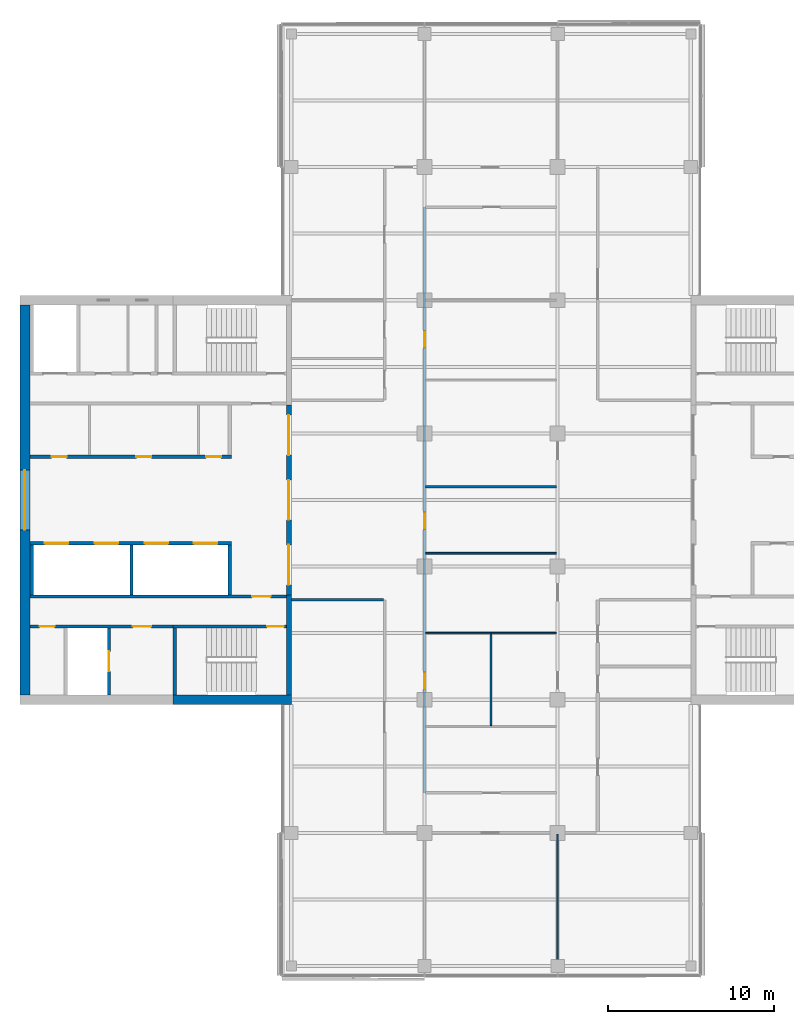
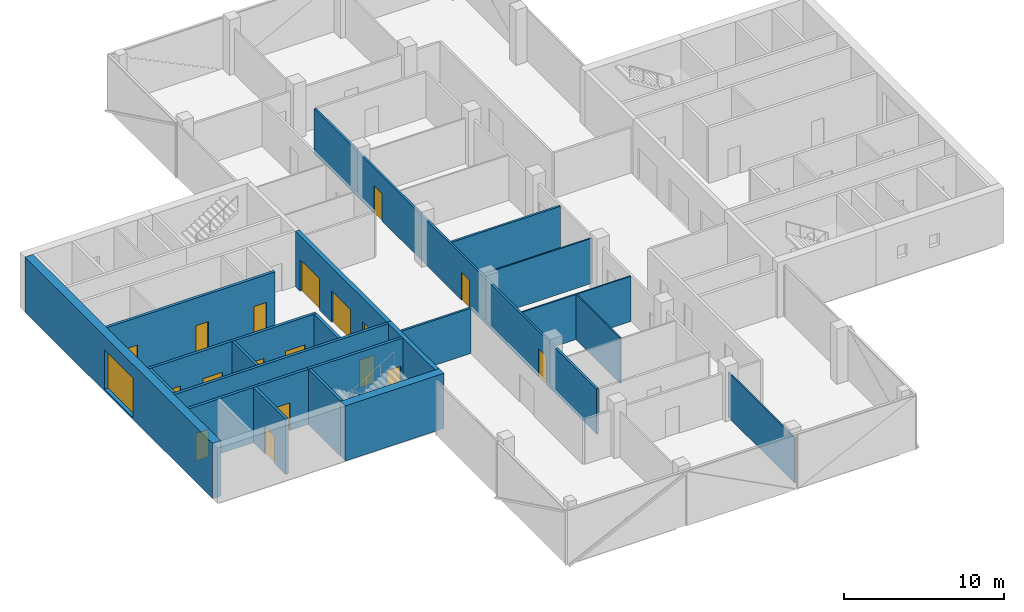
# One storey, part 9 of 15: 21 walls, 18 doors, 1 window, 19 openings.
"""IFC4 building model written with IfcOpenShell, lengths in metres."""

from ifc_helpers import new_model, si_unit, direction, frame, frame_2d, origin, place, context, subcontext, project, spatial, rectangle, extrude, material, layer, layer_set, constituent, constituent_set, type_object, element, fill, save


model = new_model("IFC4")

# Units and contexts
model_context = context("Model", 3, precision=1e-05, world=origin(), true_north=direction((0.0, 1.0)))
body_context = subcontext(model_context, "Body", "Model", "MODEL_VIEW")
ifc_project = project(units=[si_unit("LENGTHUNIT", "METRE"), si_unit("AREAUNIT", "SQUARE_METRE"), si_unit("VOLUMEUNIT", "CUBIC_METRE"), si_unit("PLANEANGLEUNIT", "RADIAN"), si_unit("MASSUNIT", "GRAM", prefix="KILO")], contexts=[model_context])

# Site, building, storey
site_placement = place(None, origin())
site = spatial("IfcSite", under=ifc_project, at=site_placement, CompositionType="ELEMENT")
building_placement = place(site_placement, origin())
building = spatial("IfcBuilding", under=site, at=building_placement, Name="Crosswind Convention Tower", CompositionType="ELEMENT")
storey_placement = place(building_placement, frame((0.0, 0.0, 191.5)))
storey = spatial("IfcBuildingStorey", under=building, at=storey_placement, Name="L40", CompositionType="ELEMENT", Elevation=191.5)

# Wall, openings, doors
ifc_material_1 = material(Name="Concrete C50/60", Category="concrete")
ifc_layer_1 = layer(ifc_material_1, 0.300048828125)
ifc_layer_set_1 = layer_set([ifc_layer_1], Name="Concrete C50/60")
wall_type_1 = type_object("IfcWallType", Name="Concrete inner core wall 300", PredefinedType="SHEAR", material=ifc_layer_set_1)
wall_1_placement = place(storey_placement, frame((112.85009765625, 105.699951171875, 0.0), z_axis=(0.0, 0.0, 1.0), x_axis=(0.0, -1.0, 0.0)))
wall_1 = element("IfcWall", 1, at=wall_1_placement, inside=storey, type_object=wall_type_1, Name="Wall SCR W L40", PredefinedType="SHEAR", context=body_context, shape_type="SweptSolid", body=[
    extrude(rectangle(XDim=11.39990234375, YDim=0.300048828125, at=frame_2d((5.699951171875, 0.0))), origin(), (0.0, 0.0, 1.0), 4.199951171875),
])
opening_1_placement = place(wall_1_placement, frame((0.60009765625, 0.0, 0.0)))
opening_1 = element("IfcOpeningElement", 2, at=opening_1_placement, cuts=wall_1, Name="Opening D100", PredefinedType="OPENING", context=body_context, shape_type="SweptSolid", body=[
    extrude(rectangle(XDim=2.39990234375, YDim=2.39990234375, at=frame_2d((1.199951171875, 1.199951171875))), frame((0.0, 0.159912109375, 0.0), z_axis=(0.0, -1.0, 0.0), x_axis=(1.0, 0.0, 0.0)), (0.0, 0.0, 1.0), 0.320068359375),
])
opening_2_placement = place(wall_1_placement, frame((4.5, 0.0, 0.0)))
opening_2 = element("IfcOpeningElement", 3, at=opening_2_placement, cuts=wall_1, Name="Opening D100", PredefinedType="OPENING", context=body_context, shape_type="SweptSolid", body=[
    extrude(rectangle(XDim=2.39990234375, YDim=2.39990234375, at=frame_2d((1.199951171875, 1.199951171875))), frame((0.0, 0.159912109375, 0.0), z_axis=(0.0, -1.0, 0.0), x_axis=(1.0, 0.0, 0.0)), (0.0, 0.0, 1.0), 0.320068359375),
])
opening_3_placement = place(wall_1_placement, frame((8.39990234375, 0.0, 0.0)))
opening_3 = element("IfcOpeningElement", 4, at=opening_3_placement, cuts=wall_1, Name="Opening D100", PredefinedType="OPENING", context=body_context, shape_type="SweptSolid", body=[
    extrude(rectangle(XDim=2.39990234375, YDim=2.39990234375, at=frame_2d((1.199951171875, 1.199951171875))), frame((0.0, 0.159912109375, 0.0), z_axis=(0.0, -1.0, 0.0), x_axis=(1.0, 0.0, 0.0)), (0.0, 0.0, 1.0), 0.320068359375),
])
ifc_material_2 = material(Name="Steel fire door with glazed vision panels", Category="steel")
door_type_1 = type_object("IfcDoorType", Name="Fire-rated double door 2400x2400", OperationType="DOUBLE_DOOR_SINGLE_SWING", PredefinedType="DOOR", material=ifc_material_2)
door_1_placement = place(opening_1_placement, origin())
door_1 = element("IfcDoor", 5, at=door_1_placement, inside=storey, type_object=door_type_1, Name="Lobby door 1 L40", ObjectType="D100", OperationType="DOUBLE_DOOR_SINGLE_SWING", OverallHeight=2.39990234375, OverallWidth=2.39990234375, PredefinedType="DOOR", context=body_context, shape_type="SweptSolid", body=[
    extrude(rectangle(XDim=2.39990234375, YDim=2.39990234375, at=frame_2d((1.199951171875, 1.199951171875))), frame((0.0, 0.02490234375, 0.0), z_axis=(0.0, -1.0, 0.0), x_axis=(1.0, 0.0, 0.0)), (0.0, 0.0, 1.0), 0.050048828125),
])
fill(opening_1, door_1)
door_2_placement = place(opening_2_placement, origin())
door_2 = element("IfcDoor", 6, at=door_2_placement, inside=storey, type_object=door_type_1, Name="Lobby door 2 L40", ObjectType="D100", OperationType="DOUBLE_DOOR_SINGLE_SWING", OverallHeight=2.39990234375, OverallWidth=2.39990234375, PredefinedType="DOOR", context=body_context, shape_type="SweptSolid", body=[
    extrude(rectangle(XDim=2.39990234375, YDim=2.39990234375, at=frame_2d((1.199951171875, 1.199951171875))), frame((0.0, 0.02490234375, 0.0), z_axis=(0.0, -1.0, 0.0), x_axis=(1.0, 0.0, 0.0)), (0.0, 0.0, 1.0), 0.050048828125),
])
fill(opening_2, door_2)
door_3_placement = place(opening_3_placement, origin())
door_3 = element("IfcDoor", 7, at=door_3_placement, inside=storey, type_object=door_type_1, Name="Lobby door 3 L40", ObjectType="D100", OperationType="DOUBLE_DOOR_SINGLE_SWING", OverallHeight=2.39990234375, OverallWidth=2.39990234375, PredefinedType="DOOR", context=body_context, shape_type="SweptSolid", body=[
    extrude(rectangle(XDim=2.39990234375, YDim=2.39990234375, at=frame_2d((1.199951171875, 1.199951171875))), frame((0.0, 0.02490234375, 0.0), z_axis=(0.0, -1.0, 0.0), x_axis=(1.0, 0.0, 0.0)), (0.0, 0.0, 1.0), 0.050048828125),
])
fill(opening_3, door_3)

# Walls
wall_2_placement = place(storey_placement, frame((112.85009765625, 94.300048828125, 0.0), z_axis=(0.0, 0.0, 1.0), x_axis=(0.0, -1.0, 0.0)))
element("IfcWall", 8, at=wall_2_placement, inside=storey, type_object=wall_type_1, Name="Wall EP W L40", PredefinedType="SHEAR", context=body_context, shape_type="SweptSolid", body=[
    extrude(rectangle(XDim=6.0, YDim=0.300048828125, at=frame_2d((3.0, 0.0))), origin(), (0.0, 0.0, 1.0), 4.199951171875),
])
ifc_layer_2 = layer(ifc_material_1, 0.199951171875)
ifc_layer_set_2 = layer_set([ifc_layer_2], Name="Concrete C50/60")
wall_type_2 = type_object("IfcWallType", Name="Concrete shaft and stair wall 200", PredefinedType="SHEAR", material=ifc_layer_set_2)
for number, where, z_axis, x_axis, name in (
    (9, (109.300048828125, 97.300048828125, 0.0), (0.0, 0.0, 1.0), (0.0, -1.0, 0.0), "Wall RPEND W L40"),
    (10, (103.39990234375, 97.300048828125, 0.0), (0.0, 0.0, 1.0), (0.0, -1.0, 0.0), "Wall RPSEP W L40"),
    (11, (97.39990234375, 97.300048828125, 0.0), (0.0, 0.0, 1.0), (0.0, -1.0, 0.0), "Wall RPEAST W L40"),
):
    element("IfcWall", number, at=place(storey_placement, frame(where, z_axis=z_axis, x_axis=x_axis)), inside=storey, type_object=wall_type_2, Name=name, PredefinedType="SHEAR", context=body_context, shape_type="SweptSolid", body=[
        extrude(rectangle(XDim=3.0, YDim=0.199951171875, at=frame_2d((1.5, 0.0))), origin(), (0.0, 0.0, 1.0), 4.199951171875),
    ])

# Wall, openings, doors
wall_3_placement = place(storey_placement, frame((109.39990234375, 97.39990234375, 0.0), z_axis=(0.0, 0.0, 1.0), x_axis=(-1.0, 0.0, 0.0)))
wall_3 = element("IfcWall", 12, at=wall_3_placement, inside=storey, type_object=wall_type_2, Name="Wall RPFRONT W L40", PredefinedType="SHEAR", context=body_context, shape_type="SweptSolid", body=[
    extrude(rectangle(XDim=12.099853515625, YDim=0.199951171875, at=frame_2d((6.0498046875, 0.0))), origin(), (0.0, 0.0, 1.0), 4.199951171875),
])
opening_4_placement = place(wall_3_placement, frame((0.85009765625, 0.0, 0.0)))
opening_4 = element("IfcOpeningElement", 13, at=opening_4_placement, cuts=wall_3, Name="Opening LD2", PredefinedType="OPENING", context=body_context, shape_type="SweptSolid", body=[
    extrude(rectangle(XDim=1.39990234375, YDim=2.10009765625, at=frame_2d((0.699951171875, 1.050048828125))), frame((0.0, 0.10986328125, 0.0), z_axis=(0.0, -1.0, 0.0), x_axis=(1.0, 0.0, 0.0)), (0.0, 0.0, 1.0), 0.219970703125),
])
opening_5_placement = place(wall_3_placement, frame((3.800048828125, 0.0, 0.0)))
opening_5 = element("IfcOpeningElement", 14, at=opening_5_placement, cuts=wall_3, Name="Opening LD2", PredefinedType="OPENING", context=body_context, shape_type="SweptSolid", body=[
    extrude(rectangle(XDim=1.39990234375, YDim=2.10009765625, at=frame_2d((0.699951171875, 1.050048828125))), frame((0.0, 0.10986328125, 0.0), z_axis=(0.0, -1.0, 0.0), x_axis=(1.0, 0.0, 0.0)), (0.0, 0.0, 1.0), 0.219970703125),
])
opening_6_placement = place(wall_3_placement, frame((6.800048828125, 0.0, 0.0)))
opening_6 = element("IfcOpeningElement", 15, at=opening_6_placement, cuts=wall_3, Name="Opening LD2", PredefinedType="OPENING", context=body_context, shape_type="SweptSolid", body=[
    extrude(rectangle(XDim=1.39990234375, YDim=2.10009765625, at=frame_2d((0.699951171875, 1.050048828125))), frame((0.0, 0.10986328125, 0.0), z_axis=(0.0, -1.0, 0.0), x_axis=(1.0, 0.0, 0.0)), (0.0, 0.0, 1.0), 0.219970703125),
])
opening_7_placement = place(wall_3_placement, frame((9.800048828125, 0.0, 0.0)))
opening_7 = element("IfcOpeningElement", 16, at=opening_7_placement, cuts=wall_3, Name="Opening LD2", PredefinedType="OPENING", context=body_context, shape_type="SweptSolid", body=[
    extrude(rectangle(XDim=1.39990234375, YDim=2.10009765625, at=frame_2d((0.699951171875, 1.050048828125))), frame((0.0, 0.10986328125, 0.0), z_axis=(0.0, -1.0, 0.0), x_axis=(1.0, 0.0, 0.0)), (0.0, 0.0, 1.0), 0.219970703125),
])
ifc_material_3 = material(Name="Stainless steel", Category="steel")
door_type_2 = type_object("IfcDoorType", Name="Lift landing door 1400x2100", OperationType="DOUBLE_DOOR_SLIDING", PredefinedType="DOOR", material=ifc_material_3)
door_4_placement = place(opening_4_placement, origin())
door_4 = element("IfcDoor", 17, at=door_4_placement, inside=storey, type_object=door_type_2, Name="Landing door HR1 L40", ObjectType="LD2", OperationType="DOUBLE_DOOR_SLIDING", OverallHeight=2.10009765625, OverallWidth=1.39990234375, PredefinedType="DOOR", context=body_context, shape_type="SweptSolid", body=[
    extrude(rectangle(XDim=1.39990234375, YDim=2.10009765625, at=frame_2d((0.699951171875, 1.050048828125))), frame((0.0, 0.02490234375, 0.0), z_axis=(0.0, -1.0, 0.0), x_axis=(1.0, 0.0, 0.0)), (0.0, 0.0, 1.0), 0.050048828125),
])
fill(opening_4, door_4)
door_5_placement = place(opening_5_placement, origin())
door_5 = element("IfcDoor", 18, at=door_5_placement, inside=storey, type_object=door_type_2, Name="Landing door HR2 L40", ObjectType="LD2", OperationType="DOUBLE_DOOR_SLIDING", OverallHeight=2.10009765625, OverallWidth=1.39990234375, PredefinedType="DOOR", context=body_context, shape_type="SweptSolid", body=[
    extrude(rectangle(XDim=1.39990234375, YDim=2.10009765625, at=frame_2d((0.699951171875, 1.050048828125))), frame((0.0, 0.02490234375, 0.0), z_axis=(0.0, -1.0, 0.0), x_axis=(1.0, 0.0, 0.0)), (0.0, 0.0, 1.0), 0.050048828125),
])
fill(opening_5, door_5)
door_6_placement = place(opening_6_placement, origin())
door_6 = element("IfcDoor", 19, at=door_6_placement, inside=storey, type_object=door_type_2, Name="Landing door HR3 L40", ObjectType="LD2", OperationType="DOUBLE_DOOR_SLIDING", OverallHeight=2.10009765625, OverallWidth=1.39990234375, PredefinedType="DOOR", context=body_context, shape_type="SweptSolid", body=[
    extrude(rectangle(XDim=1.39990234375, YDim=2.10009765625, at=frame_2d((0.699951171875, 1.050048828125))), frame((0.0, 0.02490234375, 0.0), z_axis=(0.0, -1.0, 0.0), x_axis=(1.0, 0.0, 0.0)), (0.0, 0.0, 1.0), 0.050048828125),
])
fill(opening_6, door_6)
door_7_placement = place(opening_7_placement, origin())
door_7 = element("IfcDoor", 20, at=door_7_placement, inside=storey, type_object=door_type_2, Name="Landing door HR4 L40", ObjectType="LD2", OperationType="DOUBLE_DOOR_SLIDING", OverallHeight=2.10009765625, OverallWidth=1.39990234375, PredefinedType="DOOR", context=body_context, shape_type="SweptSolid", body=[
    extrude(rectangle(XDim=1.39990234375, YDim=2.10009765625, at=frame_2d((0.699951171875, 1.050048828125))), frame((0.0, 0.02490234375, 0.0), z_axis=(0.0, -1.0, 0.0), x_axis=(1.0, 0.0, 0.0)), (0.0, 0.0, 1.0), 0.050048828125),
])
fill(opening_7, door_7)

wall_4_placement = place(storey_placement, frame((109.39990234375, 102.60009765625, 0.0), z_axis=(0.0, 0.0, 1.0), x_axis=(-1.0, 0.0, 0.0)))
wall_4 = element("IfcWall", 21, at=wall_4_placement, inside=storey, type_object=wall_type_2, Name="Wall RMFRONT W L40", PredefinedType="SHEAR", context=body_context, shape_type="SweptSolid", body=[
    extrude(rectangle(XDim=12.099853515625, YDim=0.199951171875, at=frame_2d((6.0498046875, 0.0))), origin(), (0.0, 0.0, 1.0), 4.199951171875),
])
opening_8_placement = place(wall_4_placement, frame((0.611328125, 0.0, 0.0)))
opening_8 = element("IfcOpeningElement", 22, at=opening_8_placement, cuts=wall_4, Name="Opening D106", PredefinedType="OPENING", context=body_context, shape_type="SweptSolid", body=[
    extrude(rectangle(XDim=0.89990234375, YDim=2.10009765625, at=frame_2d((0.449951171875, 1.050048828125))), frame((0.0, 0.10986328125, 0.0), z_axis=(0.0, -1.0, 0.0), x_axis=(1.0, 0.0, 0.0)), (0.0, 0.0, 1.0), 0.219970703125),
])
opening_9_placement = place(wall_4_placement, frame((4.8076171875, 0.0, 0.0)))
opening_9 = element("IfcOpeningElement", 23, at=opening_9_placement, cuts=wall_4, Name="Opening D106", PredefinedType="OPENING", context=body_context, shape_type="SweptSolid", body=[
    extrude(rectangle(XDim=0.89990234375, YDim=2.10009765625, at=frame_2d((0.449951171875, 1.050048828125))), frame((0.0, 0.10986328125, 0.0), z_axis=(0.0, -1.0, 0.0), x_axis=(1.0, 0.0, 0.0)), (0.0, 0.0, 1.0), 0.219970703125),
])
opening_10_placement = place(wall_4_placement, frame((9.896240234375, 0.0, 0.0)))
opening_10 = element("IfcOpeningElement", 24, at=opening_10_placement, cuts=wall_4, Name="Opening D106", PredefinedType="OPENING", context=body_context, shape_type="SweptSolid", body=[
    extrude(rectangle(XDim=0.89990234375, YDim=2.10009765625, at=frame_2d((0.449951171875, 1.050048828125))), frame((0.0, 0.10986328125, 0.0), z_axis=(0.0, -1.0, 0.0), x_axis=(1.0, 0.0, 0.0)), (0.0, 0.0, 1.0), 0.219970703125),
])
ifc_material_4 = material(Name="Timber door", Category="wood")
door_type_3 = type_object("IfcDoorType", Name="Single leaf door 900x2100", OperationType="NOTDEFINED", PredefinedType="DOOR", material=ifc_material_4)
door_8_placement = place(opening_8_placement, frame((0.89990234375, 0.0, 0.0), z_axis=(0.0, 0.0, 1.0), x_axis=(-1.0, 0.0, 0.0)))
door_8 = element("IfcDoor", 25, at=door_8_placement, inside=storey, type_object=door_type_3, Name="Door to pantry L40", ObjectType="D106", OperationType="SINGLE_SWING_LEFT", OverallHeight=2.10009765625, OverallWidth=0.89990234375, PredefinedType="DOOR", context=body_context, shape_type="SweptSolid", body=[
    extrude(rectangle(XDim=0.89990234375, YDim=2.10009765625, at=frame_2d((0.449951171875, 1.050048828125))), frame((0.0, 0.02490234375, 0.0), z_axis=(0.0, -1.0, 0.0), x_axis=(1.0, 0.0, 0.0)), (0.0, 0.0, 1.0), 0.050048828125),
])
fill(opening_8, door_8)
door_9_placement = place(opening_9_placement, frame((0.89990234375, 0.0, 0.0), z_axis=(0.0, 0.0, 1.0), x_axis=(-1.0, 0.0, 0.0)))
door_9 = element("IfcDoor", 26, at=door_9_placement, inside=storey, type_object=door_type_3, Name="Door to telecoms room L40", ObjectType="D106", OperationType="SINGLE_SWING_LEFT", OverallHeight=2.10009765625, OverallWidth=0.89990234375, PredefinedType="DOOR", context=body_context, shape_type="SweptSolid", body=[
    extrude(rectangle(XDim=0.89990234375, YDim=2.10009765625, at=frame_2d((0.449951171875, 1.050048828125))), frame((0.0, 0.02490234375, 0.0), z_axis=(0.0, -1.0, 0.0), x_axis=(1.0, 0.0, 0.0)), (0.0, 0.0, 1.0), 0.050048828125),
])
fill(opening_9, door_9)
door_10_placement = place(opening_10_placement, frame((0.89990234375, 0.0, 0.0), z_axis=(0.0, 0.0, 1.0), x_axis=(-1.0, 0.0, 0.0)))
door_10 = element("IfcDoor", 27, at=door_10_placement, inside=storey, type_object=door_type_3, Name="Door to storeroom L40", ObjectType="D106", OperationType="SINGLE_SWING_LEFT", OverallHeight=2.10009765625, OverallWidth=0.89990234375, PredefinedType="DOOR", context=body_context, shape_type="SweptSolid", body=[
    extrude(rectangle(XDim=0.89990234375, YDim=2.10009765625, at=frame_2d((0.449951171875, 1.050048828125))), frame((0.0, 0.02490234375, 0.0), z_axis=(0.0, -1.0, 0.0), x_axis=(1.0, 0.0, 0.0)), (0.0, 0.0, 1.0), 0.050048828125),
])
fill(opening_10, door_10)

# Wall, opening, door
wall_5_placement = place(storey_placement, frame((112.699951171875, 94.199951171875, 0.0), z_axis=(0.0, 0.0, 1.0), x_axis=(-1.0, 0.0, 0.0)))
wall_5 = element("IfcWall", 28, at=wall_5_placement, inside=storey, type_object=wall_type_2, Name="Wall HP W L40", PredefinedType="SHEAR", context=body_context, shape_type="SweptSolid", body=[
    extrude(rectangle(XDim=15.39990234375, YDim=0.199951171875, at=frame_2d((7.699951171875, 0.0))), origin(), (0.0, 0.0, 1.0), 4.199951171875),
])
opening_11_placement = place(wall_5_placement, frame((0.949951171875, 0.0, 0.0)))
opening_11 = element("IfcOpeningElement", 29, at=opening_11_placement, cuts=wall_5, Name="Opening D104", PredefinedType="OPENING", context=body_context, shape_type="SweptSolid", body=[
    extrude(rectangle(XDim=1.10009765625, YDim=2.10009765625, at=frame_2d((0.550048828125, 1.050048828125))), frame((0.0, 0.10986328125, 0.0), z_axis=(0.0, -1.0, 0.0), x_axis=(1.0, 0.0, 0.0)), (0.0, 0.0, 1.0), 0.219970703125),
])
ifc_material_5 = material(Name="Steel fire door", Category="steel")
door_type_4 = type_object("IfcDoorType", Name="Fire-rated single door 1100x2100", OperationType="NOTDEFINED", PredefinedType="DOOR", material=ifc_material_5)
door_11_placement = place(opening_11_placement, origin())
door_11 = element("IfcDoor", 30, at=door_11_placement, inside=storey, type_object=door_type_4, Name="Corridor door L40", ObjectType="D104", OperationType="SINGLE_SWING_LEFT", OverallHeight=2.10009765625, OverallWidth=1.10009765625, PredefinedType="DOOR", context=body_context, shape_type="SweptSolid", body=[
    extrude(rectangle(XDim=1.10009765625, YDim=2.10009765625, at=frame_2d((0.550048828125, 1.050048828125))), frame((0.0, 0.02490234375, 0.0), z_axis=(0.0, -1.0, 0.0), x_axis=(1.0, 0.0, 0.0)), (0.0, 0.0, 1.0), 0.050048828125),
])
fill(opening_11, door_11)

# Wall
wall_6_placement = place(storey_placement, frame((106.0, 92.300048828125, 0.0), z_axis=(0.0, 0.0, 1.0), x_axis=(0.0, -1.0, 0.0)))
element("IfcWall", 31, at=wall_6_placement, inside=storey, type_object=wall_type_2, Name="Wall PSE W L40", PredefinedType="SHEAR", context=body_context, shape_type="SweptSolid", body=[
    extrude(rectangle(XDim=4.0, YDim=0.199951171875, at=frame_2d((2.0, 0.0))), origin(), (0.0, 0.0, 1.0), 4.199951171875),
])

# Wall, opening, door
wall_7_placement = place(storey_placement, frame((102.050048828125, 92.300048828125, 0.0), z_axis=(0.0, 0.0, 1.0), x_axis=(0.0, -1.0, 0.0)))
wall_7 = element("IfcWall", 32, at=wall_7_placement, inside=storey, type_object=wall_type_2, Name="Wall PFLW W L40", PredefinedType="SHEAR", context=body_context, shape_type="SweptSolid", body=[
    extrude(rectangle(XDim=4.0, YDim=0.199951171875, at=frame_2d((2.0, 0.0))), origin(), (0.0, 0.0, 1.0), 4.199951171875),
])
opening_12_placement = place(wall_7_placement, frame((1.39990234375, 0.0, 0.0)))
opening_12 = element("IfcOpeningElement", 33, at=opening_12_placement, cuts=wall_7, Name="Opening LD1", PredefinedType="OPENING", context=body_context, shape_type="SweptSolid", body=[
    extrude(rectangle(XDim=1.199951171875, YDim=2.10009765625, at=frame_2d((0.60009765625, 1.050048828125))), frame((0.0, 0.10986328125, 0.0), z_axis=(0.0, -1.0, 0.0), x_axis=(1.0, 0.0, 0.0)), (0.0, 0.0, 1.0), 0.219970703125),
])
door_type_5 = type_object("IfcDoorType", Name="Lift landing door 1200x2100", OperationType="DOUBLE_DOOR_SLIDING", PredefinedType="DOOR", material=ifc_material_3)
door_12_placement = place(opening_12_placement, origin())
door_12 = element("IfcDoor", 34, at=door_12_placement, inside=storey, type_object=door_type_5, Name="Landing door FF2 L40", ObjectType="LD1", OperationType="DOUBLE_DOOR_SLIDING", OverallHeight=2.10009765625, OverallWidth=1.199951171875, PredefinedType="DOOR", context=body_context, shape_type="SweptSolid", body=[
    extrude(rectangle(XDim=1.199951171875, YDim=2.10009765625, at=frame_2d((0.60009765625, 1.050048828125))), frame((0.0, 0.02490234375, 0.0), z_axis=(0.0, -1.0, 0.0), x_axis=(1.0, 0.0, 0.0)), (0.0, 0.0, 1.0), 0.050048828125),
])
fill(opening_12, door_12)

wall_8_placement = place(storey_placement, frame((112.699951171875, 92.39990234375, 0.0), z_axis=(0.0, 0.0, 1.0), x_axis=(-1.0, 0.0, 0.0)))
wall_8 = element("IfcWall", 35, at=wall_8_placement, inside=storey, type_object=wall_type_2, Name="Wall PCW W L40", PredefinedType="SHEAR", context=body_context, shape_type="SweptSolid", body=[
    extrude(rectangle(XDim=6.800048828125, YDim=0.199951171875, at=frame_2d((3.39990234375, 0.0))), origin(), (0.0, 0.0, 1.0), 4.199951171875),
])
opening_13_placement = place(wall_8_placement, frame((0.14990234375, 0.0, 0.0)))
opening_13 = element("IfcOpeningElement", 36, at=opening_13_placement, cuts=wall_8, Name="Opening D103", PredefinedType="OPENING", context=body_context, shape_type="SweptSolid", body=[
    extrude(rectangle(XDim=1.0, YDim=2.10009765625, at=frame_2d((0.5, 1.050048828125))), frame((0.0, 0.10986328125, 0.0), z_axis=(0.0, -1.0, 0.0), x_axis=(1.0, 0.0, 0.0)), (0.0, 0.0, 1.0), 0.219970703125),
])
door_type_6 = type_object("IfcDoorType", Name="Fire-rated single door 1000x2100", OperationType="NOTDEFINED", PredefinedType="DOOR", material=ifc_material_5)
door_13_placement = place(opening_13_placement, origin())
door_13 = element("IfcDoor", 37, at=door_13_placement, inside=storey, type_object=door_type_6, Name="Stair ST3 door L40", ObjectType="D103", OperationType="SINGLE_SWING_LEFT", OverallHeight=2.10009765625, OverallWidth=1.0, PredefinedType="DOOR", context=body_context, shape_type="SweptSolid", body=[
    extrude(rectangle(XDim=1.0, YDim=2.10009765625, at=frame_2d((0.5, 1.050048828125))), frame((0.0, 0.02490234375, 0.0), z_axis=(0.0, -1.0, 0.0), x_axis=(1.0, 0.0, 0.0)), (0.0, 0.0, 1.0), 0.050048828125),
])
fill(opening_13, door_13)

# Wall, openings, doors
wall_9_placement = place(storey_placement, frame((105.89990234375, 92.39990234375, 0.0), z_axis=(0.0, 0.0, 1.0), x_axis=(-1.0, 0.0, 0.0)))
wall_9 = element("IfcWall", 38, at=wall_9_placement, inside=storey, type_object=wall_type_2, Name="Wall PCX W L40", PredefinedType="SHEAR", context=body_context, shape_type="SweptSolid", body=[
    extrude(rectangle(XDim=8.599853515625, YDim=0.199951171875, at=frame_2d((4.2998046875, 0.0))), origin(), (0.0, 0.0, 1.0), 4.199951171875),
])
opening_14_placement = place(wall_9_placement, frame((1.324951171875, 0.0, 0.0)))
opening_14 = element("IfcOpeningElement", 39, at=opening_14_placement, cuts=wall_9, Name="Opening D104", PredefinedType="OPENING", context=body_context, shape_type="SweptSolid", body=[
    extrude(rectangle(XDim=1.10009765625, YDim=2.10009765625, at=frame_2d((0.550048828125, 1.050048828125))), frame((0.0, 0.10986328125, 0.0), z_axis=(0.0, -1.0, 0.0), x_axis=(1.0, 0.0, 0.0)), (0.0, 0.0, 1.0), 0.219970703125),
])
opening_15_placement = place(wall_9_placement, frame((7.125, 0.0, 0.0)))
opening_15 = element("IfcOpeningElement", 40, at=opening_15_placement, cuts=wall_9, Name="Opening D106", PredefinedType="OPENING", context=body_context, shape_type="SweptSolid", body=[
    extrude(rectangle(XDim=0.89990234375, YDim=2.10009765625, at=frame_2d((0.449951171875, 1.050048828125))), frame((0.0, 0.10986328125, 0.0), z_axis=(0.0, -1.0, 0.0), x_axis=(1.0, 0.0, 0.0)), (0.0, 0.0, 1.0), 0.219970703125),
])
door_14_placement = place(opening_14_placement, origin())
door_14 = element("IfcDoor", 41, at=door_14_placement, inside=storey, type_object=door_type_4, Name="Fire-fighting lobby FF2 door L40", ObjectType="D104", OperationType="SINGLE_SWING_RIGHT", OverallHeight=2.10009765625, OverallWidth=1.10009765625, PredefinedType="DOOR", context=body_context, shape_type="SweptSolid", body=[
    extrude(rectangle(XDim=1.10009765625, YDim=2.10009765625, at=frame_2d((0.550048828125, 1.050048828125))), frame((0.0, 0.02490234375, 0.0), z_axis=(0.0, -1.0, 0.0), x_axis=(1.0, 0.0, 0.0)), (0.0, 0.0, 1.0), 0.050048828125),
])
fill(opening_14, door_14)
door_15_placement = place(opening_15_placement, origin())
door_15 = element("IfcDoor", 42, at=door_15_placement, inside=storey, type_object=door_type_3, Name="Door to comms room L40", ObjectType="D106", OperationType="SINGLE_SWING_RIGHT", OverallHeight=2.10009765625, OverallWidth=0.89990234375, PredefinedType="DOOR", context=body_context, shape_type="SweptSolid", body=[
    extrude(rectangle(XDim=0.89990234375, YDim=2.10009765625, at=frame_2d((0.449951171875, 1.050048828125))), frame((0.0, 0.02490234375, 0.0), z_axis=(0.0, -1.0, 0.0), x_axis=(1.0, 0.0, 0.0)), (0.0, 0.0, 1.0), 0.050048828125),
])
fill(opening_15, door_15)

# Walls
ifc_material_6 = material(Name="Plasterboard partition", Category="gypsum")
ifc_layer_3 = layer(ifc_material_6, 0.10009765625)
ifc_layer_set_3 = layer_set([ifc_layer_3], Name="PARTITION 100 METAL STUD")
wall_type_3 = type_object("IfcWallType", Name="PARTITION 100 METAL STUD", PredefinedType="PARTITIONING", material=ifc_layer_set_3)
wall_10_placement = place(storey_placement, frame((125.0, 86.449951171875, 0.0), z_axis=(0.0, 0.0, 1.0), x_axis=(0.0, 1.0, 0.0)))
element("IfcWall", 43, at=wall_10_placement, inside=storey, type_object=wall_type_3, Name="Partition wall WT40", PredefinedType="PARTITIONING", context=body_context, shape_type="SweptSolid", body=[
    extrude(rectangle(XDim=5.5, YDim=0.10009765625, at=frame_2d((2.75, 0.0))), origin(), (0.0, 0.0, 1.0), 3.439697265625),
])
wall_11_placement = place(storey_placement, frame((129.0, 71.6298828125, 0.0), z_axis=(0.0, 0.0, 1.0), x_axis=(0.0, 1.0, 0.0)))
element("IfcWall", 44, at=wall_11_placement, inside=storey, type_object=wall_type_3, Name="Partition wall WT40", PredefinedType="PARTITIONING", context=body_context, shape_type="SweptSolid", body=[
    extrude(rectangle(XDim=8.295166015625, YDim=0.10009765625, at=frame_2d((4.1474609375, 0.0))), origin(), (0.0, 0.0, 1.0), 3.439697265625),
])
for number, where, z_axis, x_axis, name in (
    (45, (121.074951171875, 92.0, 0.0), (0.0, 0.0, 1.0), (1.0, 0.0, 0.0), "Partition wall WT40"),
    (46, (121.074951171875, 96.800048828125, 0.0), (0.0, 0.0, 1.0), (1.0, 0.0, 0.0), "Partition wall WT40"),
):
    element("IfcWall", number, at=place(storey_placement, frame(where, z_axis=z_axis, x_axis=x_axis)), inside=storey, type_object=wall_type_3, Name=name, PredefinedType="PARTITIONING", context=body_context, shape_type="SweptSolid", body=[
        extrude(rectangle(XDim=7.85009765625, YDim=0.10009765625, at=frame_2d((3.925048828125, 0.0))), origin(), (0.0, 0.0, 1.0), 3.439697265625),
    ])

# Wall, openings, doors
ifc_material_7 = material(Name="Fire-board partition with mineral wool", Category="gypsum")
ifc_layer_4 = layer(ifc_material_7, 0.14990234375)
ifc_layer_set_4 = layer_set([ifc_layer_4], Name="TENANCY WALL 150 TWO-HOUR BOARD")
wall_type_4 = type_object("IfcWallType", Name="TENANCY WALL 150 TWO-HOUR BOARD", PredefinedType="PARTITIONING", material=ifc_layer_set_4)
wall_12_placement = place(storey_placement, frame((121.0, 82.39990234375, 0.0), z_axis=(0.0, 0.0, 1.0), x_axis=(0.0, 1.0, 0.0)))
wall_12 = element("IfcWall", 47, at=wall_12_placement, inside=storey, type_object=wall_type_4, Name="Tenancy wall WT41", PredefinedType="PARTITIONING", context=body_context, shape_type="SweptSolid", body=[
    extrude(rectangle(XDim=35.2001953125, YDim=0.14990234375, at=frame_2d((17.60009765625, 0.0))), origin(), (0.0, 0.0, 1.0), 3.439697265625),
])
opening_16_placement = place(wall_12_placement, frame((6.25, 0.0, 0.0)))
opening_16 = element("IfcOpeningElement", 48, at=opening_16_placement, cuts=wall_12, Name="Opening L40-62", PredefinedType="OPENING", context=body_context, shape_type="SweptSolid", body=[
    extrude(rectangle(XDim=1.0, YDim=2.10009765625, at=frame_2d((0.5, 1.050048828125))), frame((0.0, 0.0849609375, 0.0), z_axis=(0.0, -1.0, 0.0), x_axis=(1.0, 0.0, 0.0)), (0.0, 0.0, 1.0), 0.169921875),
])
opening_17_placement = place(wall_12_placement, frame((15.85009765625, 0.0, 0.0)))
opening_17 = element("IfcOpeningElement", 49, at=opening_17_placement, cuts=wall_12, Name="Opening L40-65", PredefinedType="OPENING", context=body_context, shape_type="SweptSolid", body=[
    extrude(rectangle(XDim=1.0, YDim=2.10009765625, at=frame_2d((0.5, 1.050048828125))), frame((0.0, 0.0849609375, 0.0), z_axis=(0.0, -1.0, 0.0), x_axis=(1.0, 0.0, 0.0)), (0.0, 0.0, 1.0), 0.169921875),
])
opening_18_placement = place(wall_12_placement, frame((26.75, 0.0, 0.0)))
opening_18 = element("IfcOpeningElement", 50, at=opening_18_placement, cuts=wall_12, Name="Opening L40-67", PredefinedType="OPENING", context=body_context, shape_type="SweptSolid", body=[
    extrude(rectangle(XDim=1.0, YDim=2.10009765625, at=frame_2d((0.5, 1.050048828125))), frame((0.0, 0.0849609375, 0.0), z_axis=(0.0, -1.0, 0.0), x_axis=(1.0, 0.0, 0.0)), (0.0, 0.0, 1.0), 0.169921875),
])
ifc_material_8 = material(Name="Timber fire door", Category="wood")
door_type_7 = type_object("IfcDoorType", Name="TENANCY ENTRANCE DOOR 1000X2100 FD30S", OperationType="NOTDEFINED", PredefinedType="DOOR", material=ifc_material_8)
door_16_placement = place(opening_16_placement, frame((1.0, 0.0, 0.0), z_axis=(0.0, 0.0, 1.0), x_axis=(-1.0, 0.0, 0.0)))
door_16 = element("IfcDoor", 51, at=door_16_placement, inside=storey, type_object=door_type_7, Name="Door L40-62", ObjectType="D41", OperationType="SINGLE_SWING_RIGHT", OverallHeight=2.10009765625, OverallWidth=1.0, PredefinedType="DOOR", context=body_context, shape_type="SweptSolid", body=[
    extrude(rectangle(XDim=1.0, YDim=2.10009765625, at=frame_2d((0.5, 1.050048828125))), frame((0.0, 0.02490234375, 0.0), z_axis=(0.0, -1.0, 0.0), x_axis=(1.0, 0.0, 0.0)), (0.0, 0.0, 1.0), 0.050048828125),
])
fill(opening_16, door_16)
door_17_placement = place(opening_17_placement, frame((1.0, 0.0, 0.0), z_axis=(0.0, 0.0, 1.0), x_axis=(-1.0, 0.0, 0.0)))
door_17 = element("IfcDoor", 52, at=door_17_placement, inside=storey, type_object=door_type_7, Name="Door L40-65", ObjectType="D41", OperationType="SINGLE_SWING_RIGHT", OverallHeight=2.10009765625, OverallWidth=1.0, PredefinedType="DOOR", context=body_context, shape_type="SweptSolid", body=[
    extrude(rectangle(XDim=1.0, YDim=2.10009765625, at=frame_2d((0.5, 1.050048828125))), frame((0.0, 0.02490234375, 0.0), z_axis=(0.0, -1.0, 0.0), x_axis=(1.0, 0.0, 0.0)), (0.0, 0.0, 1.0), 0.050048828125),
])
fill(opening_17, door_17)
door_18_placement = place(opening_18_placement, frame((1.0, 0.0, 0.0), z_axis=(0.0, 0.0, 1.0), x_axis=(-1.0, 0.0, 0.0)))
door_18 = element("IfcDoor", 53, at=door_18_placement, inside=storey, type_object=door_type_7, Name="Door L40-67", ObjectType="D41", OperationType="SINGLE_SWING_LEFT", OverallHeight=2.10009765625, OverallWidth=1.0, PredefinedType="DOOR", context=body_context, shape_type="SweptSolid", body=[
    extrude(rectangle(XDim=1.0, YDim=2.10009765625, at=frame_2d((0.5, 1.050048828125))), frame((0.0, 0.02490234375, 0.0), z_axis=(0.0, -1.0, 0.0), x_axis=(1.0, 0.0, 0.0)), (0.0, 0.0, 1.0), 0.050048828125),
])
fill(opening_18, door_18)

# Walls
wall_13_placement = place(storey_placement, frame((113.0, 94.0, 0.0), z_axis=(0.0, 0.0, 1.0), x_axis=(1.0, 0.0, 0.0)))
element("IfcWall", 54, at=wall_13_placement, inside=storey, type_object=wall_type_4, Name="Tenancy wall WT41", PredefinedType="PARTITIONING", context=body_context, shape_type="SweptSolid", body=[
    extrude(rectangle(XDim=5.52490234375, YDim=0.14990234375, at=frame_2d((2.762451171875, 0.0))), origin(), (0.0, 0.0, 1.0), 3.439697265625),
])
wall_14_placement = place(storey_placement, frame((121.074951171875, 100.800048828125, 0.0), z_axis=(0.0, 0.0, 1.0), x_axis=(1.0, 0.0, 0.0)))
element("IfcWall", 55, at=wall_14_placement, inside=storey, type_object=wall_type_4, Name="Tenancy wall WT41", PredefinedType="PARTITIONING", context=body_context, shape_type="SweptSolid", body=[
    extrude(rectangle(XDim=7.85009765625, YDim=0.14990234375, at=frame_2d((3.925048828125, 0.0))), origin(), (0.0, 0.0, 1.0), 3.439697265625),
])
ifc_material_9 = material(Name="Concrete C60/75", Category="concrete")
ifc_constituent_1 = constituent(ifc_material_9, Name="Structure")
ifc_material_10 = material(Name="Terracotta rainscreen", Category="ceramic")
ifc_constituent_2 = constituent(ifc_material_10, Name="Facing")
ifc_constituent_set = constituent_set(constituents=[ifc_constituent_1, ifc_constituent_2], Name="Concrete C60/75, Terracotta rainscreen")
wall_type_5 = type_object("IfcWallType", Name="Terracotta rainscreen on concrete core wall 600", PredefinedType="SHEAR", material=ifc_constituent_set)
wall_15_placement = place(storey_placement, frame((113.0, 88.0, 0.0), z_axis=(0.0, 0.0, 1.0), x_axis=(-1.0, 0.0, 0.0)))
element("IfcWall", 56, at=wall_15_placement, inside=storey, type_object=wall_type_5, Name="Wall N1 W L40", PredefinedType="SHEAR", context=body_context, shape_type="SweptSolid", body=[
    extrude(rectangle(XDim=7.10009765625, YDim=0.60009765625, at=frame_2d((3.550048828125, 0.0))), origin(), (0.0, 0.0, 1.0), 4.199951171875),
])

# Wall, opening, window
wall_16_placement = place(storey_placement, frame((97.0, 111.699951171875, 0.0), z_axis=(0.0, 0.0, 1.0), x_axis=(0.0, -1.0, 0.0)))
wall_16 = element("IfcWall", 57, at=wall_16_placement, inside=storey, type_object=wall_type_5, Name="Wall O W L40", PredefinedType="SHEAR", context=body_context, shape_type="SweptSolid", body=[
    extrude(rectangle(XDim=23.39990234375, YDim=0.60009765625, at=frame_2d((11.699951171875, 0.0))), origin(), (0.0, 0.0, 1.0), 4.199951171875),
])
opening_19_placement = place(wall_16_placement, frame((9.89990234375, 0.0, 0.14990234375)))
opening_19 = element("IfcOpeningElement", 58, at=opening_19_placement, cuts=wall_16, Name="Opening W1", PredefinedType="OPENING", context=body_context, shape_type="SweptSolid", body=[
    extrude(rectangle(XDim=3.60009765625, YDim=3.0, at=frame_2d((1.800048828125, 1.5))), frame((0.0, 0.31005859375, 0.0), z_axis=(0.0, -1.0, 0.0), x_axis=(1.0, 0.0, 0.0)), (0.0, 0.0, 1.0), 0.6201171875),
])
ifc_material_11 = material(Name="Clear laminated glass in aluminium frame", Category="aluminium")
window_type = type_object("IfcWindowType", Name="Lobby end window 3600x3000", PartitioningType="SINGLE_PANEL", PredefinedType="WINDOW", material=ifc_material_11)
window_placement = place(opening_19_placement, origin())
window = element("IfcWindow", 59, at=window_placement, inside=storey, type_object=window_type, Name="Lobby end window L40", ObjectType="W1", OverallHeight=3.0, OverallWidth=3.60009765625, PartitioningType="SINGLE_PANEL", PredefinedType="WINDOW", context=body_context, shape_type="SweptSolid", body=[
    extrude(rectangle(XDim=3.60009765625, YDim=3.0, at=frame_2d((1.800048828125, 1.5))), frame((0.0, 0.030029296875, 0.0), z_axis=(0.0, -1.0, 0.0), x_axis=(1.0, 0.0, 0.0)), (0.0, 0.0, 1.0), 0.06005859375),
])
fill(opening_19, window)

save(model, "model.ifc")
